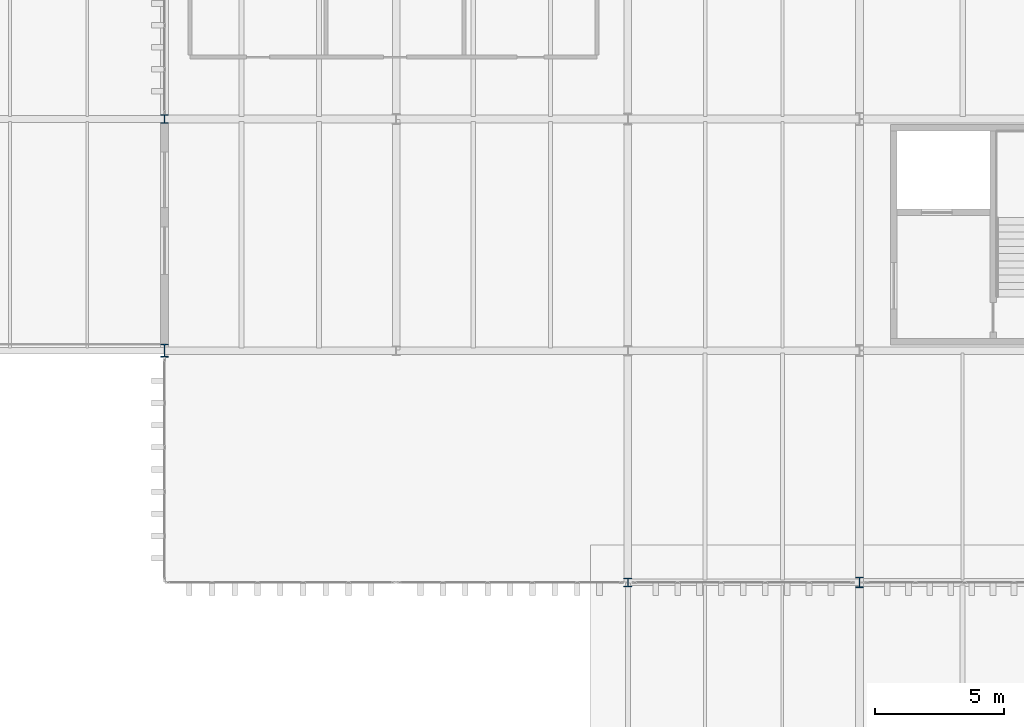
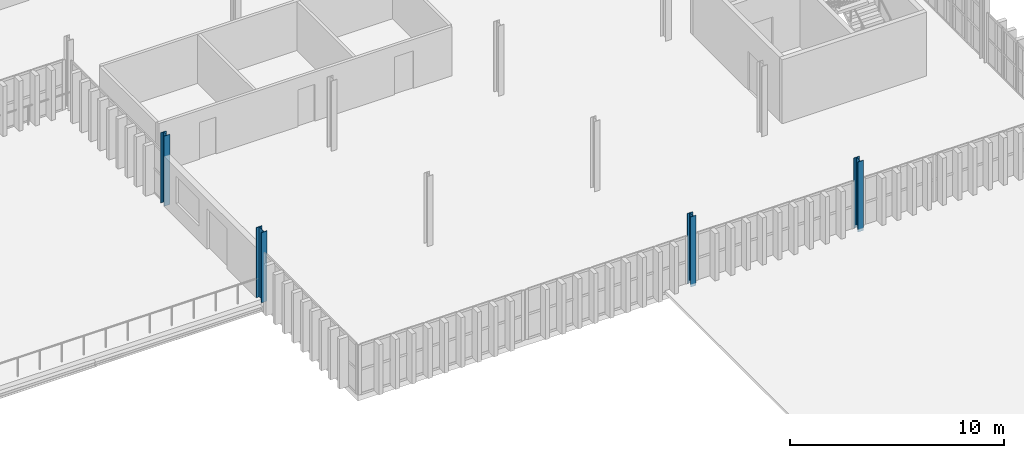
# One storey, part 6 of 102: 4 columns.
"""IFC4 building model written with IfcOpenShell, lengths in metres."""

from ifc_helpers import new_model, si_unit, direction, frame, origin, origin_2d, place, context, subcontext, project, spatial, i_section, extrude, material, material_profile, profile_set, type_object, element, save


model = new_model("IFC4")

# Units and contexts
model_context = context("Model", 3, precision=1e-05, world=origin(), true_north=direction((0.0, 1.0)))
body_context = subcontext(model_context, "Body", "Model", "MODEL_VIEW")
ifc_project = project(units=[si_unit("LENGTHUNIT", "METRE"), si_unit("AREAUNIT", "SQUARE_METRE"), si_unit("VOLUMEUNIT", "CUBIC_METRE"), si_unit("PLANEANGLEUNIT", "RADIAN"), si_unit("MASSUNIT", "GRAM", prefix="KILO")], contexts=[model_context])

# Site, building, storey
site_placement = place(None, origin())
site = spatial("IfcSite", under=ifc_project, at=site_placement, CompositionType="ELEMENT")
building_placement = place(site_placement, origin())
building = spatial("IfcBuilding", under=site, at=building_placement, Name="Barlavento Convention Centre", CompositionType="ELEMENT")
storey_placement = place(building_placement, frame((0.0, 0.0, 22.800048828125)))
storey = spatial("IfcBuildingStorey", under=building, at=storey_placement, Name="L04", CompositionType="ELEMENT", Elevation=22.800048828125)

# Columns
ifc_material = material(Name="Steel S355", Category="steel")
ifc_material_profile_1 = material_profile(ifc_material, i_section(OverallWidth=0.300048828125, OverallDepth=0.340087890625, WebThickness=0.011962890625, FlangeThickness=0.021484375, FilletRadius=0.027099609375, at=origin_2d()), Name="HEB 340")
ifc_profile_set_1 = profile_set([ifc_material_profile_1], Name="Steel S355")
column_type_1 = type_object("IfcColumnType", Name="STR-COL-HEB340", PredefinedType="COLUMN", material=ifc_profile_set_1)
for number, where, z_axis, x_axis, name in (
    (1, (153.0, 45.0, 0.0), (0.0, 0.0, 1.0), (1.0, 0.0, 0.0), "L04 column SC12"),
    (2, (171.0, 27.0, 0.0), (0.0, 0.0, 1.0), (1.0, 0.0, 0.0), "L04 column SC12"),
):
    element("IfcColumn", number, at=place(storey_placement, frame(where, z_axis=z_axis, x_axis=x_axis)), inside=storey, type_object=column_type_1, Name=name, PredefinedType="COLUMN", context=body_context, shape_type="SweptSolid", body=[
        extrude(i_section(OverallWidth=0.300048828125, OverallDepth=0.340087890625, WebThickness=0.011962890625, FlangeThickness=0.021484375, FilletRadius=0.027099609375, at=origin_2d()), origin(), (0.0, 0.0, 1.0), 4.0),
    ])
ifc_material_profile_2 = material_profile(ifc_material, i_section(OverallWidth=0.300048828125, OverallDepth=0.39990234375, WebThickness=0.013427734375, FlangeThickness=0.02392578125, FilletRadius=0.027099609375, at=origin_2d()), Name="HEB 400")
ifc_profile_set_2 = profile_set([ifc_material_profile_2], Name="Steel S355")
column_type_2 = type_object("IfcColumnType", Name="STR-COL-HEB400", PredefinedType="COLUMN", material=ifc_profile_set_2)
column_1_placement = place(storey_placement, frame((180.0, 27.0, 0.0), z_axis=(0.0, 0.0, 1.0), x_axis=(1.0, 0.0, 0.0)))
element("IfcColumn", 3, at=column_1_placement, inside=storey, type_object=column_type_2, Name="L04 column SC11", PredefinedType="COLUMN", context=body_context, shape_type="SweptSolid", body=[
    extrude(i_section(OverallWidth=0.300048828125, OverallDepth=0.39990234375, WebThickness=0.013427734375, FlangeThickness=0.02392578125, FilletRadius=0.027099609375, at=origin_2d()), origin(), (0.0, 0.0, 1.0), 4.0),
])
ifc_material_profile_3 = material_profile(ifc_material, i_section(OverallWidth=0.300048828125, OverallDepth=0.5, WebThickness=0.014404296875, FlangeThickness=0.028076171875, FilletRadius=0.027099609375, at=origin_2d()), Name="HEB 500")
ifc_profile_set_3 = profile_set([ifc_material_profile_3], Name="Steel S355")
column_type_3 = type_object("IfcColumnType", Name="STR-COL-HEB500", PredefinedType="COLUMN", material=ifc_profile_set_3)
column_2_placement = place(storey_placement, frame((153.0, 36.0, 0.0), z_axis=(0.0, 0.0, 1.0), x_axis=(1.0, 0.0, 0.0)))
element("IfcColumn", 4, at=column_2_placement, inside=storey, type_object=column_type_3, Name="L04 column SC09", PredefinedType="COLUMN", context=body_context, shape_type="SweptSolid", body=[
    extrude(i_section(OverallWidth=0.300048828125, OverallDepth=0.5, WebThickness=0.014404296875, FlangeThickness=0.028076171875, FilletRadius=0.027099609375, at=origin_2d()), origin(), (0.0, 0.0, 1.0), 4.0),
])

save(model, "model.ifc")
